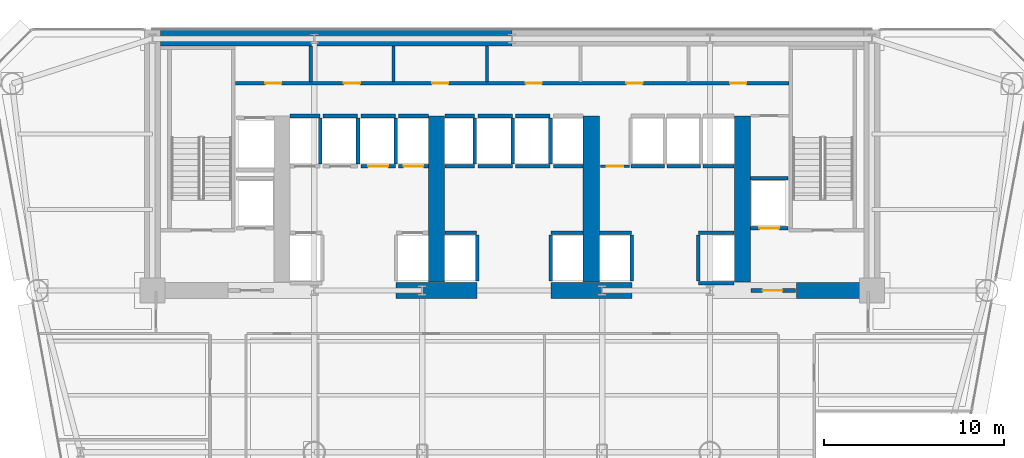
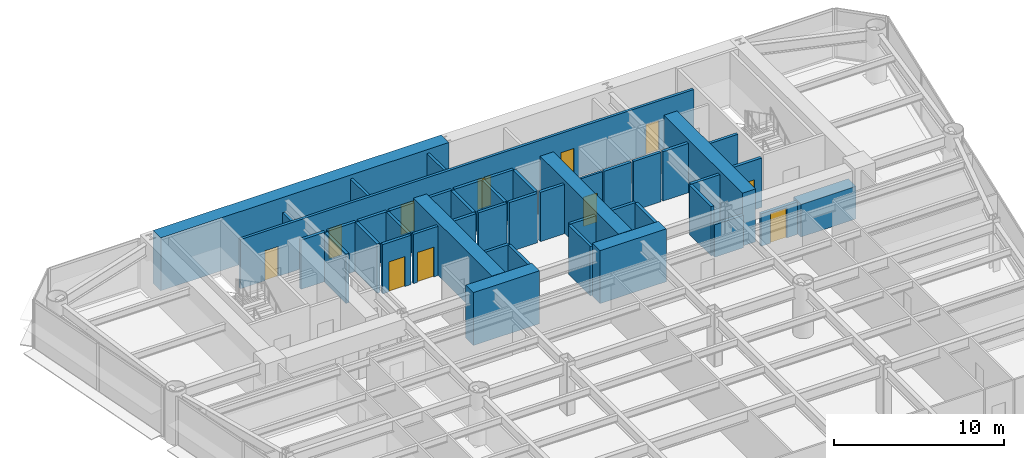
# One storey, part 9 of 14: 46 walls, 11 doors, 11 openings.
"""IFC4 building model written with IfcOpenShell, lengths in metres."""

from ifc_helpers import new_model, si_unit, direction, frame, frame_2d, origin, place, context, subcontext, project, spatial, rectangle, extrude, source, transform, mapped, material, layer, layer_set, type_object, element, fill, save


model = new_model("IFC4")

# Units and contexts
model_context = context("Model", 3, precision=1e-05, world=origin(), true_north=direction((0.0, 1.0)))
body_context = subcontext(model_context, "Body", "Model", "MODEL_VIEW")
ifc_project = project(units=[si_unit("LENGTHUNIT", "METRE"), si_unit("AREAUNIT", "SQUARE_METRE"), si_unit("VOLUMEUNIT", "CUBIC_METRE"), si_unit("PLANEANGLEUNIT", "RADIAN"), si_unit("MASSUNIT", "GRAM", prefix="KILO")], contexts=[model_context])

# Site, building, storey
site_placement = place(None, origin())
site = spatial("IfcSite", under=ifc_project, at=site_placement, CompositionType="ELEMENT")
building_placement = place(site_placement, origin())
building = spatial("IfcBuilding", under=site, at=building_placement, Name="Vaeldorn Concourse Tower", CompositionType="ELEMENT")
storey_placement = place(building_placement, frame((0.0, 0.0, 79.60009765625)))
storey = spatial("IfcBuildingStorey", under=building, at=storey_placement, Name="L20", CompositionType="ELEMENT", Elevation=79.60009765625)

# Walls
ifc_material_1 = material(Name="Concrete C60/75", Category="concrete")
ifc_layer_1 = layer(ifc_material_1, 0.89990234375)
ifc_layer_set_1 = layer_set([ifc_layer_1], Name="Concrete C60/75")
wall_type_1 = type_object("IfcWallType", Name="WL-CORE-900", PredefinedType="SHEAR", material=ifc_layer_set_1)
wall_1_placement = place(storey_placement, frame((14.4541015625, 50.550048828125, 0.0), z_axis=(0.0, 0.0, 1.0), x_axis=(1.0, 0.0, 0.0)))
element("IfcWall", 1, at=wall_1_placement, inside=storey, type_object=wall_type_1, Name="Rear Core Shear Wall L20 N1", PredefinedType="SHEAR", context=body_context, shape_type="SweptSolid", body=[
    extrude(rectangle(XDim=19.5439453125, YDim=0.89990234375, at=frame_2d((9.77197265625, 0.0))), origin(), (0.0, 0.0, 1.0), 3.7998046875),
])
for number, where, z_axis, x_axis, name in (
    (2, (27.550048828125, 36.5, 0.0), (0.0, 0.0, 1.0), (1.0, 0.0, 0.0), "Rear Core Shear Wall L20 S2"),
    (3, (36.14990234375, 36.5, 0.0), (0.0, 0.0, 1.0), (1.0, 0.0, 0.0), "Rear Core Shear Wall L20 S3"),
):
    element("IfcWall", number, at=place(storey_placement, frame(where, z_axis=z_axis, x_axis=x_axis)), inside=storey, type_object=wall_type_1, Name=name, PredefinedType="SHEAR", context=body_context, shape_type="SweptSolid", body=[
        extrude(rectangle(XDim=4.5, YDim=0.89990234375, at=frame_2d((2.25, 0.0))), origin(), (0.0, 0.0, 1.0), 3.7998046875),
    ])
wall_2_placement = place(storey_placement, frame((49.800048828125, 36.5, 0.0), z_axis=(0.0, 0.0, 1.0), x_axis=(1.0, 0.0, 0.0)))
element("IfcWall", 4, at=wall_2_placement, inside=storey, type_object=wall_type_1, Name="Rear Core Shear Wall L20 S4", PredefinedType="SHEAR", context=body_context, shape_type="SweptSolid", body=[
    extrude(rectangle(XDim=3.72998046875, YDim=0.89990234375, at=frame_2d((1.864990234375, 0.0))), origin(), (0.0, 0.0, 1.0), 2.33984375),
])
for number, where, z_axis, x_axis, name in (
    (5, (29.800048828125, 36.969970703125, 0.0), (0.0, 0.0, 1.0), (0.0, 1.0, 0.0), "Rear Core Shear Wall L20 M2"),
    (6, (38.39990234375, 36.969970703125, 0.0), (0.0, 0.0, 1.0), (0.0, 1.0, 0.0), "Rear Core Shear Wall L20 M3"),
    (7, (46.800048828125, 36.969970703125, 0.0), (0.0, 0.0, 1.0), (0.0, 1.0, 0.0), "Rear Core Shear Wall L20 M4"),
):
    element("IfcWall", number, at=place(storey_placement, frame(where, z_axis=z_axis, x_axis=x_axis)), inside=storey, type_object=wall_type_1, Name=name, PredefinedType="SHEAR", context=body_context, shape_type="SweptSolid", body=[
        extrude(rectangle(XDim=9.22998046875, YDim=0.89990234375, at=frame_2d((4.614990234375, 0.0))), origin(), (0.0, 0.0, 1.0), 3.7998046875),
    ])

# Wall, opening, door
ifc_material_2 = material(Name="Gypsum Board Partition", Category="gypsum")
ifc_layer_2 = layer(ifc_material_2, 0.14990234375)
ifc_layer_set_2 = layer_set([ifc_layer_2], Name="Gypsum Board Partition")
wall_type_2 = type_object("IfcWallType", Name="WL-PART-150", PredefinedType="PARTITIONING", material=ifc_layer_set_2)
wall_3_placement = place(storey_placement, frame((38.919921875, 43.39990234375, 0.0), z_axis=(0.0, 0.0, 1.0), x_axis=(1.0, 0.0, 0.0)))
wall_3 = element("IfcWall", 8, at=wall_3_placement, inside=storey, type_object=wall_type_2, Name="Interior Wall CW-L20-CCLINK", PredefinedType="PARTITIONING", context=body_context, shape_type="SweptSolid", body=[
    extrude(rectangle(XDim=1.60009765625, YDim=0.14990234375, at=frame_2d((0.800048828125, 0.0))), origin(), (0.0, 0.0, 1.0), 3.539794921875),
])
opening_1_placement = place(wall_3_placement, frame((0.35009765625, 0.0, 0.0)))
opening_1 = element("IfcOpeningElement", 9, at=opening_1_placement, cuts=wall_3, Name="Opening D-02", PredefinedType="OPENING", context=body_context, shape_type="SweptSolid", body=[
    extrude(rectangle(XDim=0.89990234375, YDim=2.10009765625, at=frame_2d((0.449951171875, 1.050048828125))), frame((0.0, 0.0849609375, 0.0), z_axis=(0.0, -1.0, 0.0), x_axis=(1.0, 0.0, 0.0)), (0.0, 0.0, 1.0), 0.169921875),
])
ifc_material_3 = material(Name="Fire-Rated Timber Leaf", Category="wood")
door_type_1 = type_object("IfcDoorType", Name="DR-FD30-900", OperationType="NOTDEFINED", PredefinedType="DOOR", material=ifc_material_3)
shared_shape_1 = source(origin(), body_context, "Body", "SweptSolid", [
    extrude(rectangle(XDim=0.89990234375, YDim=2.10009765625, at=frame_2d((0.449951171875, 1.050048828125))), frame((0.0, 0.02490234375, 0.0), z_axis=(0.0, -1.0, 0.0), x_axis=(1.0, 0.0, 0.0)), (0.0, 0.0, 1.0), 0.050048828125),
])
door_1_placement = place(opening_1_placement, origin())
door_1 = element("IfcDoor", 10, at=door_1_placement, inside=storey, type_object=door_type_1, Name="Interior Door DR-L20-CCLINK", OperationType="SINGLE_SWING_LEFT", OverallHeight=2.10009765625, OverallWidth=0.89990234375, PredefinedType="DOOR", context=body_context, shape_type="MappedRepresentation", body=[
    mapped(shared_shape_1, transform((0.0, 0.0, 0.0), scale=1.0)),
])
fill(opening_1, door_1)

# Wall, openings, doors
ifc_layer_3 = layer(ifc_material_2, 0.179931640625)
ifc_layer_set_3 = layer_set([ifc_layer_3], Name="Gypsum Board Partition")
wall_type_3 = type_object("IfcWallType", Name="WL-PLUMB-180", PredefinedType="PLUMBINGWALL", material=ifc_layer_set_3)
wall_4_placement = place(storey_placement, frame((18.6201171875, 48.02001953125, 0.0), z_axis=(0.0, 0.0, 1.0), x_axis=(1.0, 0.0, 0.0)))
wall_4 = element("IfcWall", 11, at=wall_4_placement, inside=storey, type_object=wall_type_3, Name="Interior Wall CW-L20-NS3", PredefinedType="PLUMBINGWALL", context=body_context, shape_type="SweptSolid", body=[
    extrude(rectangle(XDim=30.759765625, YDim=0.179931640625, at=frame_2d((15.3798828125, 0.0))), origin(), (0.0, 0.0, 1.0), 3.539794921875),
])
opening_2_placement = place(wall_4_placement, frame((1.655029296875, 0.0, 0.0)))
opening_2 = element("IfcOpeningElement", 12, at=opening_2_placement, cuts=wall_4, Name="Opening D-03", PredefinedType="OPENING", context=body_context, shape_type="SweptSolid", body=[
    extrude(rectangle(XDim=0.89990234375, YDim=2.14990234375, at=frame_2d((0.449951171875, 1.074951171875))), frame((0.0, 0.10009765625, 0.0), z_axis=(0.0, -1.0, 0.0), x_axis=(1.0, 0.0, 0.0)), (0.0, 0.0, 1.0), 0.199951171875),
])
opening_3_placement = place(wall_4_placement, frame((6.030029296875, 0.0, 0.0)))
opening_3 = element("IfcOpeningElement", 13, at=opening_3_placement, cuts=wall_4, Name="Opening D-03", PredefinedType="OPENING", context=body_context, shape_type="SweptSolid", body=[
    extrude(rectangle(XDim=0.89990234375, YDim=2.14990234375, at=frame_2d((0.449951171875, 1.074951171875))), frame((0.0, 0.10009765625, 0.0), z_axis=(0.0, -1.0, 0.0), x_axis=(1.0, 0.0, 0.0)), (0.0, 0.0, 1.0), 0.199951171875),
])
opening_4_placement = place(wall_4_placement, frame((10.929931640625, 0.0, 0.0)))
opening_4 = element("IfcOpeningElement", 14, at=opening_4_placement, cuts=wall_4, Name="Opening D-03", PredefinedType="OPENING", context=body_context, shape_type="SweptSolid", body=[
    extrude(rectangle(XDim=0.89990234375, YDim=2.14990234375, at=frame_2d((0.449951171875, 1.074951171875))), frame((0.0, 0.10009765625, 0.0), z_axis=(0.0, -1.0, 0.0), x_axis=(1.0, 0.0, 0.0)), (0.0, 0.0, 1.0), 0.199951171875),
])
opening_5_placement = place(wall_4_placement, frame((16.1298828125, 0.0, 0.0)))
opening_5 = element("IfcOpeningElement", 15, at=opening_5_placement, cuts=wall_4, Name="Opening D-03", PredefinedType="OPENING", context=body_context, shape_type="SweptSolid", body=[
    extrude(rectangle(XDim=0.89990234375, YDim=2.14990234375, at=frame_2d((0.449951171875, 1.074951171875))), frame((0.0, 0.10009765625, 0.0), z_axis=(0.0, -1.0, 0.0), x_axis=(1.0, 0.0, 0.0)), (0.0, 0.0, 1.0), 0.199951171875),
])
opening_6_placement = place(wall_4_placement, frame((21.72998046875, 0.0, 0.0)))
opening_6 = element("IfcOpeningElement", 16, at=opening_6_placement, cuts=wall_4, Name="Opening D-03", PredefinedType="OPENING", context=body_context, shape_type="SweptSolid", body=[
    extrude(rectangle(XDim=0.89990234375, YDim=2.14990234375, at=frame_2d((0.449951171875, 1.074951171875))), frame((0.0, 0.10009765625, 0.0), z_axis=(0.0, -1.0, 0.0), x_axis=(1.0, 0.0, 0.0)), (0.0, 0.0, 1.0), 0.199951171875),
])
opening_7_placement = place(wall_4_placement, frame((27.5048828125, 0.0, 0.0)))
opening_7 = element("IfcOpeningElement", 17, at=opening_7_placement, cuts=wall_4, Name="Opening D-03", PredefinedType="OPENING", context=body_context, shape_type="SweptSolid", body=[
    extrude(rectangle(XDim=0.89990234375, YDim=2.14990234375, at=frame_2d((0.449951171875, 1.074951171875))), frame((0.0, 0.10009765625, 0.0), z_axis=(0.0, -1.0, 0.0), x_axis=(1.0, 0.0, 0.0)), (0.0, 0.0, 1.0), 0.199951171875),
])
ifc_material_4 = material(Name="Acoustic Bronze-Framed Glass Door", Category="glass")
door_type_2 = type_object("IfcDoorType", Name="DR-INT-900", OperationType="NOTDEFINED", PredefinedType="DOOR", material=ifc_material_4)
shared_shape_2 = source(origin(), body_context, "Body", "SweptSolid", [
    extrude(rectangle(XDim=0.89990234375, YDim=2.14990234375, at=frame_2d((0.449951171875, 1.074951171875))), frame((0.0, 0.02490234375, 0.0), z_axis=(0.0, -1.0, 0.0), x_axis=(1.0, 0.0, 0.0)), (0.0, 0.0, 1.0), 0.050048828125),
])
door_2_placement = place(opening_2_placement, origin())
door_2 = element("IfcDoor", 18, at=door_2_placement, inside=storey, type_object=door_type_2, Name="Interior Door DR-L20-CS1", OperationType="SINGLE_SWING_LEFT", OverallHeight=2.14990234375, OverallWidth=0.89990234375, PredefinedType="DOOR", context=body_context, shape_type="MappedRepresentation", body=[
    mapped(shared_shape_2, transform((0.0, 0.0, 0.0), scale=1.0)),
])
fill(opening_2, door_2)
door_3_placement = place(opening_3_placement, origin())
door_3 = element("IfcDoor", 19, at=door_3_placement, inside=storey, type_object=door_type_2, Name="Interior Door DR-L20-CS2", OperationType="SINGLE_SWING_RIGHT", OverallHeight=2.14990234375, OverallWidth=0.89990234375, PredefinedType="DOOR", context=body_context, shape_type="MappedRepresentation", body=[
    mapped(shared_shape_2, transform((0.0, 0.0, 0.0), scale=1.0)),
])
fill(opening_3, door_3)
door_4_placement = place(opening_4_placement, origin())
door_4 = element("IfcDoor", 20, at=door_4_placement, inside=storey, type_object=door_type_2, Name="Interior Door DR-L20-CS3", OperationType="SINGLE_SWING_LEFT", OverallHeight=2.14990234375, OverallWidth=0.89990234375, PredefinedType="DOOR", context=body_context, shape_type="MappedRepresentation", body=[
    mapped(shared_shape_2, transform((0.0, 0.0, 0.0), scale=1.0)),
])
fill(opening_4, door_4)
door_5_placement = place(opening_5_placement, origin())
door_5 = element("IfcDoor", 21, at=door_5_placement, inside=storey, type_object=door_type_2, Name="Interior Door DR-L20-CS4", OperationType="SINGLE_SWING_RIGHT", OverallHeight=2.14990234375, OverallWidth=0.89990234375, PredefinedType="DOOR", context=body_context, shape_type="MappedRepresentation", body=[
    mapped(shared_shape_2, transform((0.0, 0.0, 0.0), scale=1.0)),
])
fill(opening_5, door_5)
door_6_placement = place(opening_6_placement, origin())
door_6 = element("IfcDoor", 22, at=door_6_placement, inside=storey, type_object=door_type_2, Name="Interior Door DR-L20-CS5", OperationType="SINGLE_SWING_LEFT", OverallHeight=2.14990234375, OverallWidth=0.89990234375, PredefinedType="DOOR", context=body_context, shape_type="MappedRepresentation", body=[
    mapped(shared_shape_2, transform((0.0, 0.0, 0.0), scale=1.0)),
])
fill(opening_6, door_6)
door_7_placement = place(opening_7_placement, origin())
door_7 = element("IfcDoor", 23, at=door_7_placement, inside=storey, type_object=door_type_2, Name="Interior Door DR-L20-CS6", OperationType="SINGLE_SWING_RIGHT", OverallHeight=2.14990234375, OverallWidth=0.89990234375, PredefinedType="DOOR", context=body_context, shape_type="MappedRepresentation", body=[
    mapped(shared_shape_2, transform((0.0, 0.0, 0.0), scale=1.0)),
])
fill(opening_7, door_7)

# Walls
wall_5_placement = place(storey_placement, frame((22.800048828125, 48.10009765625, 0.0), z_axis=(0.0, 0.0, 1.0), x_axis=(0.0, 1.0, 0.0)))
element("IfcWall", 24, at=wall_5_placement, inside=storey, type_object=wall_type_3, Name="Interior Wall CW-L20-NDIV1", PredefinedType="PLUMBINGWALL", context=body_context, shape_type="SweptSolid", body=[
    extrude(rectangle(XDim=1.97998046875, YDim=0.179931640625, at=frame_2d((0.989990234375, 0.0))), origin(), (0.0, 0.0, 1.0), 2.72998046875),
])
for number, where, z_axis, x_axis, name in (
    (25, (27.39990234375, 48.10009765625, 0.0), (0.0, 0.0, 1.0), (0.0, 1.0, 0.0), "Interior Wall CW-L20-NDIV2"),
    (26, (32.60009765625, 48.10009765625, 0.0), (0.0, 0.0, 1.0), (0.0, 1.0, 0.0), "Interior Wall CW-L20-NDIV3"),
):
    element("IfcWall", number, at=place(storey_placement, frame(where, z_axis=z_axis, x_axis=x_axis)), inside=storey, type_object=wall_type_3, Name=name, PredefinedType="PLUMBINGWALL", context=body_context, shape_type="SweptSolid", body=[
        extrude(rectangle(XDim=1.97998046875, YDim=0.179931640625, at=frame_2d((0.989990234375, 0.0))), origin(), (0.0, 0.0, 1.0), 3.539794921875),
    ])

# Wall, opening, door
ifc_material_5 = material(Name="Concrete C50/60", Category="concrete")
ifc_layer_4 = layer(ifc_material_5, 0.199951171875)
ifc_layer_set_4 = layer_set([ifc_layer_4], Name="Concrete C50/60")
wall_type_4 = type_object("IfcWallType", Name="WL-SHAFT-200", PredefinedType="SOLIDWALL", material=ifc_layer_set_4)
wall_6_placement = place(storey_placement, frame((47.280029296875, 36.5, 0.0), z_axis=(0.0, 0.0, 1.0), x_axis=(1.0, 0.0, 0.0)))
wall_6 = element("IfcWall", 27, at=wall_6_placement, inside=storey, type_object=wall_type_4, Name="Interior Wall CW-L20-FF2S", PredefinedType="SOLIDWALL", context=body_context, shape_type="SweptSolid", body=[
    extrude(rectangle(XDim=2.469970703125, YDim=0.199951171875, at=frame_2d((1.23486328125, 0.0))), origin(), (0.0, 0.0, 1.0), 2.329833984375),
])
opening_8_placement = place(wall_6_placement, frame((0.64990234375, 0.0, 0.0)))
opening_8 = element("IfcOpeningElement", 28, at=opening_8_placement, cuts=wall_6, Name="Opening D-01", PredefinedType="OPENING", context=body_context, shape_type="SweptSolid", body=[
    extrude(rectangle(XDim=1.10009765625, YDim=2.14990234375, at=frame_2d((0.550048828125, 1.074951171875))), frame((0.0, 0.10986328125, 0.0), z_axis=(0.0, -1.0, 0.0), x_axis=(1.0, 0.0, 0.0)), (0.0, 0.0, 1.0), 0.219970703125),
])
ifc_material_6 = material(Name="Fire-Rated Timber and Steel Leaf", Category="steel")
door_type_3 = type_object("IfcDoorType", Name="DR-FD60-1100", OperationType="NOTDEFINED", PredefinedType="DOOR", material=ifc_material_6)
shared_shape_3 = source(origin(), body_context, "Body", "SweptSolid", [
    extrude(rectangle(XDim=1.10009765625, YDim=2.14990234375, at=frame_2d((0.550048828125, 1.074951171875))), frame((0.0, 0.02490234375, 0.0), z_axis=(0.0, -1.0, 0.0), x_axis=(1.0, 0.0, 0.0)), (0.0, 0.0, 1.0), 0.050048828125),
])
door_8_placement = place(opening_8_placement, origin())
door_8 = element("IfcDoor", 29, at=door_8_placement, inside=storey, type_object=door_type_3, Name="Interior Door DR-L20-FF2W", OperationType="SINGLE_SWING_LEFT", OverallHeight=2.14990234375, OverallWidth=1.10009765625, PredefinedType="DOOR", context=body_context, shape_type="MappedRepresentation", body=[
    mapped(shared_shape_3, transform((0.0, 0.0, 0.0), scale=1.0)),
])
fill(opening_8, door_8)

# Walls
wall_7_placement = place(storey_placement, frame((21.659912109375, 46.199951171875, 0.0), z_axis=(0.0, 0.0, 1.0), x_axis=(1.0, 0.0, 0.0)))
element("IfcWall", 30, at=wall_7_placement, inside=storey, type_object=wall_type_4, Name="Interior Wall CW-L20-LFB-LF-03", PredefinedType="SOLIDWALL", context=body_context, shape_type="SweptSolid", body=[
    extrude(rectangle(XDim=1.650146484375, YDim=0.199951171875, at=frame_2d((0.8251953125, 0.0))), origin(), (0.0, 0.0, 1.0), 3.539794921875),
])
wall_8_placement = place(storey_placement, frame((23.330078125, 43.52001953125, 0.0), z_axis=(0.0, 0.0, 1.0), x_axis=(0.0, 1.0, 0.0)))
element("IfcWall", 31, at=wall_8_placement, inside=storey, type_object=wall_type_4, Name="Interior Wall CW-L20-LFE-LF-03", PredefinedType="SOLIDWALL", context=body_context, shape_type="SweptSolid", body=[
    extrude(rectangle(XDim=2.56005859375, YDim=0.199951171875, at=frame_2d((1.280029296875, 0.0))), origin(), (0.0, 0.0, 1.0), 3.539794921875),
])
wall_9_placement = place(storey_placement, frame((23.489990234375, 46.199951171875, 0.0), z_axis=(0.0, 0.0, 1.0), x_axis=(1.0, 0.0, 0.0)))
element("IfcWall", 32, at=wall_9_placement, inside=storey, type_object=wall_type_4, Name="Interior Wall CW-L20-LFB-LF-04", PredefinedType="SOLIDWALL", context=body_context, shape_type="SweptSolid", body=[
    extrude(rectangle(XDim=1.919921875, YDim=0.199951171875, at=frame_2d((0.9599609375, 0.0))), origin(), (0.0, 0.0, 1.0), 3.539794921875),
])
wall_10_placement = place(storey_placement, frame((25.429931640625, 43.52001953125, 0.0), z_axis=(0.0, 0.0, 1.0), x_axis=(0.0, 1.0, 0.0)))
element("IfcWall", 33, at=wall_10_placement, inside=storey, type_object=wall_type_4, Name="Interior Wall CW-L20-LFE-LF-04", PredefinedType="SOLIDWALL", context=body_context, shape_type="SweptSolid", body=[
    extrude(rectangle(XDim=2.56005859375, YDim=0.199951171875, at=frame_2d((1.280029296875, 0.0))), origin(), (0.0, 0.0, 1.0), 3.539794921875),
])

# Wall, opening, door
wall_11_placement = place(storey_placement, frame((25.590087890625, 43.39990234375, 0.0), z_axis=(0.0, 0.0, 1.0), x_axis=(1.0, 0.0, 0.0)))
wall_11 = element("IfcWall", 34, at=wall_11_placement, inside=storey, type_object=wall_type_4, Name="Interior Wall CW-L20-LF-LF-05", PredefinedType="SOLIDWALL", context=body_context, shape_type="SweptSolid", body=[
    extrude(rectangle(XDim=1.919921875, YDim=0.199951171875, at=frame_2d((0.9599609375, 0.0))), origin(), (0.0, 0.0, 1.0), 3.539794921875),
])
opening_9_placement = place(wall_11_placement, frame((0.409912109375, 0.0, 0.0)))
opening_9 = element("IfcOpeningElement", 35, at=opening_9_placement, cuts=wall_11, Name="Opening LD-1", PredefinedType="OPENING", context=body_context, shape_type="SweptSolid", body=[
    extrude(rectangle(XDim=1.10009765625, YDim=2.14990234375, at=frame_2d((0.550048828125, 1.074951171875))), frame((0.0, 0.10986328125, 0.0), z_axis=(0.0, -1.0, 0.0), x_axis=(1.0, 0.0, 0.0)), (0.0, 0.0, 1.0), 0.219970703125),
])
ifc_material_7 = material(Name="Anodised Bronze Aluminium", Category="aluminium")
door_type_4 = type_object("IfcDoorType", Name="DR-LIFT-SLIDE-1100", OperationType="DOUBLE_DOOR_SLIDING", PredefinedType="DOOR", material=ifc_material_7)
door_9_placement = place(opening_9_placement, origin())
door_9 = element("IfcDoor", 36, at=door_9_placement, inside=storey, type_object=door_type_4, Name="Lift Landing Door LD-L20-LF-05", OperationType="DOUBLE_DOOR_SLIDING", OverallHeight=2.14990234375, OverallWidth=1.10009765625, PredefinedType="DOOR", context=body_context, shape_type="MappedRepresentation", body=[
    mapped(shared_shape_3, transform((0.0, 0.0, 0.0), scale=1.0)),
])
fill(opening_9, door_9)

# Walls
wall_12_placement = place(storey_placement, frame((25.590087890625, 46.199951171875, 0.0), z_axis=(0.0, 0.0, 1.0), x_axis=(1.0, 0.0, 0.0)))
element("IfcWall", 37, at=wall_12_placement, inside=storey, type_object=wall_type_4, Name="Interior Wall CW-L20-LFB-LF-05", PredefinedType="SOLIDWALL", context=body_context, shape_type="SweptSolid", body=[
    extrude(rectangle(XDim=1.919921875, YDim=0.199951171875, at=frame_2d((0.9599609375, 0.0))), origin(), (0.0, 0.0, 1.0), 3.539794921875),
])
wall_13_placement = place(storey_placement, frame((27.530029296875, 43.52001953125, 0.0), z_axis=(0.0, 0.0, 1.0), x_axis=(0.0, 1.0, 0.0)))
element("IfcWall", 38, at=wall_13_placement, inside=storey, type_object=wall_type_4, Name="Interior Wall CW-L20-LFE-LF-05", PredefinedType="SOLIDWALL", context=body_context, shape_type="SweptSolid", body=[
    extrude(rectangle(XDim=2.56005859375, YDim=0.199951171875, at=frame_2d((1.280029296875, 0.0))), origin(), (0.0, 0.0, 1.0), 3.539794921875),
])

# Wall, opening, door
wall_14_placement = place(storey_placement, frame((27.68994140625, 43.39990234375, 0.0), z_axis=(0.0, 0.0, 1.0), x_axis=(1.0, 0.0, 0.0)))
wall_14 = element("IfcWall", 39, at=wall_14_placement, inside=storey, type_object=wall_type_4, Name="Interior Wall CW-L20-LF-LF-06", PredefinedType="SOLIDWALL", context=body_context, shape_type="SweptSolid", body=[
    extrude(rectangle(XDim=1.650146484375, YDim=0.199951171875, at=frame_2d((0.8251953125, 0.0))), origin(), (0.0, 0.0, 1.0), 3.539794921875),
])
opening_10_placement = place(wall_14_placement, frame((0.27490234375, 0.0, 0.0)))
opening_10 = element("IfcOpeningElement", 40, at=opening_10_placement, cuts=wall_14, Name="Opening LD-1", PredefinedType="OPENING", context=body_context, shape_type="SweptSolid", body=[
    extrude(rectangle(XDim=1.10009765625, YDim=2.14990234375, at=frame_2d((0.550048828125, 1.074951171875))), frame((0.0, 0.10986328125, 0.0), z_axis=(0.0, -1.0, 0.0), x_axis=(1.0, 0.0, 0.0)), (0.0, 0.0, 1.0), 0.219970703125),
])
door_10_placement = place(opening_10_placement, origin())
door_10 = element("IfcDoor", 41, at=door_10_placement, inside=storey, type_object=door_type_4, Name="Lift Landing Door LD-L20-LF-06", OperationType="DOUBLE_DOOR_SLIDING", OverallHeight=2.14990234375, OverallWidth=1.10009765625, PredefinedType="DOOR", context=body_context, shape_type="MappedRepresentation", body=[
    mapped(shared_shape_3, transform((0.0, 0.0, 0.0), scale=1.0)),
])
fill(opening_10, door_10)

# Walls
wall_15_placement = place(storey_placement, frame((27.68994140625, 46.199951171875, 0.0), z_axis=(0.0, 0.0, 1.0), x_axis=(1.0, 0.0, 0.0)))
element("IfcWall", 42, at=wall_15_placement, inside=storey, type_object=wall_type_4, Name="Interior Wall CW-L20-LFB-LF-06", PredefinedType="SOLIDWALL", context=body_context, shape_type="SweptSolid", body=[
    extrude(rectangle(XDim=1.650146484375, YDim=0.199951171875, at=frame_2d((0.8251953125, 0.0))), origin(), (0.0, 0.0, 1.0), 3.539794921875),
])
wall_16_placement = place(storey_placement, frame((30.260009765625, 39.699951171875, 0.0), z_axis=(0.0, 0.0, 1.0), x_axis=(1.0, 0.0, 0.0)))
element("IfcWall", 43, at=wall_16_placement, inside=storey, type_object=wall_type_4, Name="Interior Wall CW-L20-LF-LF-07", PredefinedType="SOLIDWALL", context=body_context, shape_type="SweptSolid", body=[
    extrude(rectangle(XDim=1.77001953125, YDim=0.199951171875, at=frame_2d((0.885009765625, 0.0))), origin(), (0.0, 0.0, 1.0), 3.539794921875),
])
wall_17_placement = place(storey_placement, frame((32.050048828125, 37.02001953125, 0.0), z_axis=(0.0, 0.0, 1.0), x_axis=(0.0, 1.0, 0.0)))
element("IfcWall", 44, at=wall_17_placement, inside=storey, type_object=wall_type_4, Name="Interior Wall CW-L20-LFE-LF-07", PredefinedType="SOLIDWALL", context=body_context, shape_type="SweptSolid", body=[
    extrude(rectangle(XDim=2.56005859375, YDim=0.199951171875, at=frame_2d((1.280029296875, 0.0))), origin(), (0.0, 0.0, 1.0), 3.539794921875),
])
wall_18_placement = place(storey_placement, frame((36.169921875, 39.699951171875, 0.0), z_axis=(0.0, 0.0, 1.0), x_axis=(1.0, 0.0, 0.0)))
element("IfcWall", 45, at=wall_18_placement, inside=storey, type_object=wall_type_4, Name="Interior Wall CW-L20-LF-LF-08", PredefinedType="SOLIDWALL", context=body_context, shape_type="SweptSolid", body=[
    extrude(rectangle(XDim=1.77001953125, YDim=0.199951171875, at=frame_2d((0.885009765625, 0.0))), origin(), (0.0, 0.0, 1.0), 3.539794921875),
])
wall_19_placement = place(storey_placement, frame((36.14990234375, 37.02001953125, 0.0), z_axis=(0.0, 0.0, 1.0), x_axis=(0.0, 1.0, 0.0)))
element("IfcWall", 46, at=wall_19_placement, inside=storey, type_object=wall_type_4, Name="Interior Wall CW-L20-LFW-LF-08", PredefinedType="SOLIDWALL", context=body_context, shape_type="SweptSolid", body=[
    extrude(rectangle(XDim=2.56005859375, YDim=0.199951171875, at=frame_2d((1.280029296875, 0.0))), origin(), (0.0, 0.0, 1.0), 3.539794921875),
])
for number, where, z_axis, x_axis, name in (
    (47, (30.260009765625, 43.39990234375, 0.0), (0.0, 0.0, 1.0), (1.0, 0.0, 0.0), "Interior Wall CW-L20-LF-LF-09"),
    (48, (30.260009765625, 46.199951171875, 0.0), (0.0, 0.0, 1.0), (1.0, 0.0, 0.0), "Interior Wall CW-L20-LFB-LF-09"),
):
    element("IfcWall", number, at=place(storey_placement, frame(where, z_axis=z_axis, x_axis=x_axis)), inside=storey, type_object=wall_type_4, Name=name, PredefinedType="SOLIDWALL", context=body_context, shape_type="SweptSolid", body=[
        extrude(rectangle(XDim=1.64990234375, YDim=0.199951171875, at=frame_2d((0.824951171875, 0.0))), origin(), (0.0, 0.0, 1.0), 3.539794921875),
    ])
wall_20_placement = place(storey_placement, frame((31.929931640625, 43.52001953125, 0.0), z_axis=(0.0, 0.0, 1.0), x_axis=(0.0, 1.0, 0.0)))
element("IfcWall", 49, at=wall_20_placement, inside=storey, type_object=wall_type_4, Name="Interior Wall CW-L20-LFE-LF-09", PredefinedType="SOLIDWALL", context=body_context, shape_type="SweptSolid", body=[
    extrude(rectangle(XDim=2.56005859375, YDim=0.199951171875, at=frame_2d((1.280029296875, 0.0))), origin(), (0.0, 0.0, 1.0), 3.539794921875),
])
for number, where, z_axis, x_axis, name in (
    (50, (32.090087890625, 43.39990234375, 0.0), (0.0, 0.0, 1.0), (1.0, 0.0, 0.0), "Interior Wall CW-L20-LF-LF-10"),
    (51, (32.090087890625, 46.199951171875, 0.0), (0.0, 0.0, 1.0), (1.0, 0.0, 0.0), "Interior Wall CW-L20-LFB-LF-10"),
):
    element("IfcWall", number, at=place(storey_placement, frame(where, z_axis=z_axis, x_axis=x_axis)), inside=storey, type_object=wall_type_4, Name=name, PredefinedType="SOLIDWALL", context=body_context, shape_type="SweptSolid", body=[
        extrude(rectangle(XDim=1.919921875, YDim=0.199951171875, at=frame_2d((0.9599609375, 0.0))), origin(), (0.0, 0.0, 1.0), 3.539794921875),
    ])
wall_21_placement = place(storey_placement, frame((34.030029296875, 43.52001953125, 0.0), z_axis=(0.0, 0.0, 1.0), x_axis=(0.0, 1.0, 0.0)))
element("IfcWall", 52, at=wall_21_placement, inside=storey, type_object=wall_type_4, Name="Interior Wall CW-L20-LFE-LF-10", PredefinedType="SOLIDWALL", context=body_context, shape_type="SweptSolid", body=[
    extrude(rectangle(XDim=2.56005859375, YDim=0.199951171875, at=frame_2d((1.280029296875, 0.0))), origin(), (0.0, 0.0, 1.0), 3.539794921875),
])
for number, where, z_axis, x_axis, name in (
    (53, (34.18994140625, 43.39990234375, 0.0), (0.0, 0.0, 1.0), (1.0, 0.0, 0.0), "Interior Wall CW-L20-LF-LF-11"),
    (54, (34.18994140625, 46.199951171875, 0.0), (0.0, 0.0, 1.0), (1.0, 0.0, 0.0), "Interior Wall CW-L20-LFB-LF-11"),
):
    element("IfcWall", number, at=place(storey_placement, frame(where, z_axis=z_axis, x_axis=x_axis)), inside=storey, type_object=wall_type_4, Name=name, PredefinedType="SOLIDWALL", context=body_context, shape_type="SweptSolid", body=[
        extrude(rectangle(XDim=1.920166015625, YDim=0.199951171875, at=frame_2d((0.9599609375, 0.0))), origin(), (0.0, 0.0, 1.0), 3.539794921875),
    ])
wall_22_placement = place(storey_placement, frame((36.1298828125, 43.52001953125, 0.0), z_axis=(0.0, 0.0, 1.0), x_axis=(0.0, 1.0, 0.0)))
element("IfcWall", 55, at=wall_22_placement, inside=storey, type_object=wall_type_4, Name="Interior Wall CW-L20-LFE-LF-11", PredefinedType="SOLIDWALL", context=body_context, shape_type="SweptSolid", body=[
    extrude(rectangle(XDim=2.56005859375, YDim=0.199951171875, at=frame_2d((1.280029296875, 0.0))), origin(), (0.0, 0.0, 1.0), 3.539794921875),
])
wall_23_placement = place(storey_placement, frame((36.2900390625, 43.39990234375, 0.0), z_axis=(0.0, 0.0, 1.0), x_axis=(1.0, 0.0, 0.0)))
element("IfcWall", 56, at=wall_23_placement, inside=storey, type_object=wall_type_4, Name="Interior Wall CW-L20-LF-LF-12", PredefinedType="SOLIDWALL", context=body_context, shape_type="SweptSolid", body=[
    extrude(rectangle(XDim=1.64990234375, YDim=0.199951171875, at=frame_2d((0.824951171875, 0.0))), origin(), (0.0, 0.0, 1.0), 3.539794921875),
])
wall_24_placement = place(storey_placement, frame((38.860107421875, 39.699951171875, 0.0), z_axis=(0.0, 0.0, 1.0), x_axis=(1.0, 0.0, 0.0)))
element("IfcWall", 57, at=wall_24_placement, inside=storey, type_object=wall_type_4, Name="Interior Wall CW-L20-LF-LF-13", PredefinedType="SOLIDWALL", context=body_context, shape_type="SweptSolid", body=[
    extrude(rectangle(XDim=1.769775390625, YDim=0.199951171875, at=frame_2d((0.884765625, 0.0))), origin(), (0.0, 0.0, 1.0), 3.539794921875),
])
wall_25_placement = place(storey_placement, frame((40.64990234375, 37.02001953125, 0.0), z_axis=(0.0, 0.0, 1.0), x_axis=(0.0, 1.0, 0.0)))
element("IfcWall", 58, at=wall_25_placement, inside=storey, type_object=wall_type_4, Name="Interior Wall CW-L20-LFE-LF-13", PredefinedType="SOLIDWALL", context=body_context, shape_type="SweptSolid", body=[
    extrude(rectangle(XDim=2.56005859375, YDim=0.199951171875, at=frame_2d((1.280029296875, 0.0))), origin(), (0.0, 0.0, 1.0), 3.539794921875),
])
wall_26_placement = place(storey_placement, frame((44.3701171875, 39.699951171875, 0.0), z_axis=(0.0, 0.0, 1.0), x_axis=(1.0, 0.0, 0.0)))
element("IfcWall", 59, at=wall_26_placement, inside=storey, type_object=wall_type_4, Name="Interior Wall CW-L20-LF-LF-14", PredefinedType="SOLIDWALL", context=body_context, shape_type="SweptSolid", body=[
    extrude(rectangle(XDim=1.9599609375, YDim=0.199951171875, at=frame_2d((0.97998046875, 0.0))), origin(), (0.0, 0.0, 1.0), 3.539794921875),
])
wall_27_placement = place(storey_placement, frame((44.3701171875, 36.89990234375, 0.0), z_axis=(0.0, 0.0, 1.0), x_axis=(1.0, 0.0, 0.0)))
element("IfcWall", 60, at=wall_27_placement, inside=storey, type_object=wall_type_4, Name="Interior Wall CW-L20-LFB-LF-14", PredefinedType="SOLIDWALL", context=body_context, shape_type="SweptSolid", body=[
    extrude(rectangle(XDim=1.9599609375, YDim=0.199951171875, at=frame_2d((0.97998046875, 0.0))), origin(), (0.0, 0.0, 1.0), 2.329833984375),
])
wall_28_placement = place(storey_placement, frame((44.35009765625, 37.02001953125, 0.0), z_axis=(0.0, 0.0, 1.0), x_axis=(0.0, 1.0, 0.0)))
element("IfcWall", 61, at=wall_28_placement, inside=storey, type_object=wall_type_4, Name="Interior Wall CW-L20-LFW-LF-14", PredefinedType="SOLIDWALL", context=body_context, shape_type="SweptSolid", body=[
    extrude(rectangle(XDim=2.56005859375, YDim=0.199951171875, at=frame_2d((1.280029296875, 0.0))), origin(), (0.0, 0.0, 1.0), 3.539794921875),
])
for number, where, z_axis, x_axis, name in (
    (62, (40.6201171875, 43.39990234375, 0.0), (0.0, 0.0, 1.0), (1.0, 0.0, 0.0), "Interior Wall CW-L20-LF-LF-15"),
    (63, (42.6201171875, 43.39990234375, 0.0), (0.0, 0.0, 1.0), (1.0, 0.0, 0.0), "Interior Wall CW-L20-LF-LF-16"),
):
    element("IfcWall", number, at=place(storey_placement, frame(where, z_axis=z_axis, x_axis=x_axis)), inside=storey, type_object=wall_type_4, Name=name, PredefinedType="SOLIDWALL", context=body_context, shape_type="SweptSolid", body=[
        extrude(rectangle(XDim=1.85986328125, YDim=0.199951171875, at=frame_2d((0.929931640625, 0.0))), origin(), (0.0, 0.0, 1.0), 3.539794921875),
    ])
wall_29_placement = place(storey_placement, frame((44.6201171875, 43.39990234375, 0.0), z_axis=(0.0, 0.0, 1.0), x_axis=(1.0, 0.0, 0.0)))
element("IfcWall", 64, at=wall_29_placement, inside=storey, type_object=wall_type_4, Name="Interior Wall CW-L20-LF-LF-17", PredefinedType="SOLIDWALL", context=body_context, shape_type="SweptSolid", body=[
    extrude(rectangle(XDim=1.719970703125, YDim=0.199951171875, at=frame_2d((0.85986328125, 0.0))), origin(), (0.0, 0.0, 1.0), 3.539794921875),
])

# Wall, opening, door
wall_30_placement = place(storey_placement, frame((47.260009765625, 39.949951171875, 0.0), z_axis=(0.0, 0.0, 1.0), x_axis=(1.0, 0.0, 0.0)))
wall_30 = element("IfcWall", 65, at=wall_30_placement, inside=storey, type_object=wall_type_4, Name="Interior Wall CW-L20-LF-LF-FF2", PredefinedType="SOLIDWALL", context=body_context, shape_type="SweptSolid", body=[
    extrude(rectangle(XDim=2.070068359375, YDim=0.199951171875, at=frame_2d((1.03515625, 0.0))), origin(), (0.0, 0.0, 1.0), 3.539794921875),
])
opening_11_placement = place(wall_30_placement, frame((0.485107421875, 0.0, 0.0)))
opening_11 = element("IfcOpeningElement", 66, at=opening_11_placement, cuts=wall_30, Name="Opening LD-1", PredefinedType="OPENING", context=body_context, shape_type="SweptSolid", body=[
    extrude(rectangle(XDim=1.10009765625, YDim=2.14990234375, at=frame_2d((0.550048828125, 1.074951171875))), frame((0.0, 0.10986328125, 0.0), z_axis=(0.0, -1.0, 0.0), x_axis=(1.0, 0.0, 0.0)), (0.0, 0.0, 1.0), 0.219970703125),
])
door_11_placement = place(opening_11_placement, origin())
door_11 = element("IfcDoor", 67, at=door_11_placement, inside=storey, type_object=door_type_4, Name="Lift Landing Door LD-L20-LF-FF2", OperationType="DOUBLE_DOOR_SLIDING", OverallHeight=2.14990234375, OverallWidth=1.10009765625, PredefinedType="DOOR", context=body_context, shape_type="MappedRepresentation", body=[
    mapped(shared_shape_3, transform((0.0, 0.0, 0.0), scale=1.0)),
])
fill(opening_11, door_11)

# Wall
wall_31_placement = place(storey_placement, frame((47.260009765625, 42.75, 0.0), z_axis=(0.0, 0.0, 1.0), x_axis=(1.0, 0.0, 0.0)))
element("IfcWall", 68, at=wall_31_placement, inside=storey, type_object=wall_type_4, Name="Interior Wall CW-L20-LFB-LF-FF2", PredefinedType="SOLIDWALL", context=body_context, shape_type="SweptSolid", body=[
    extrude(rectangle(XDim=2.070068359375, YDim=0.199951171875, at=frame_2d((1.03515625, 0.0))), origin(), (0.0, 0.0, 1.0), 3.539794921875),
])

save(model, "model.ifc")
